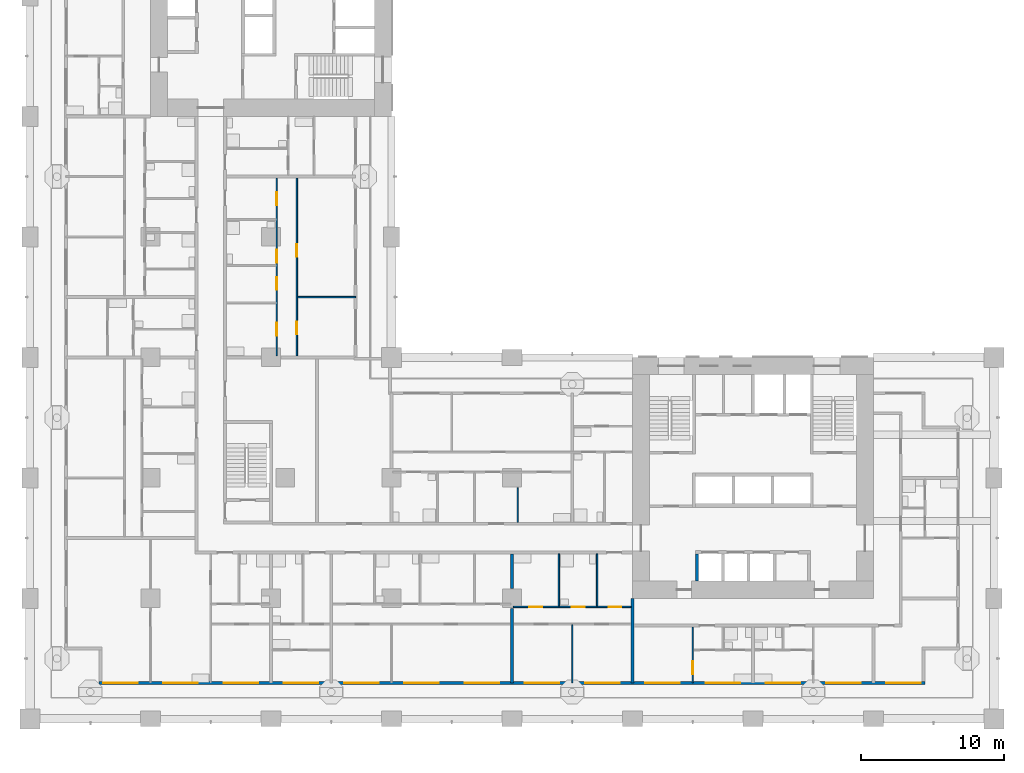
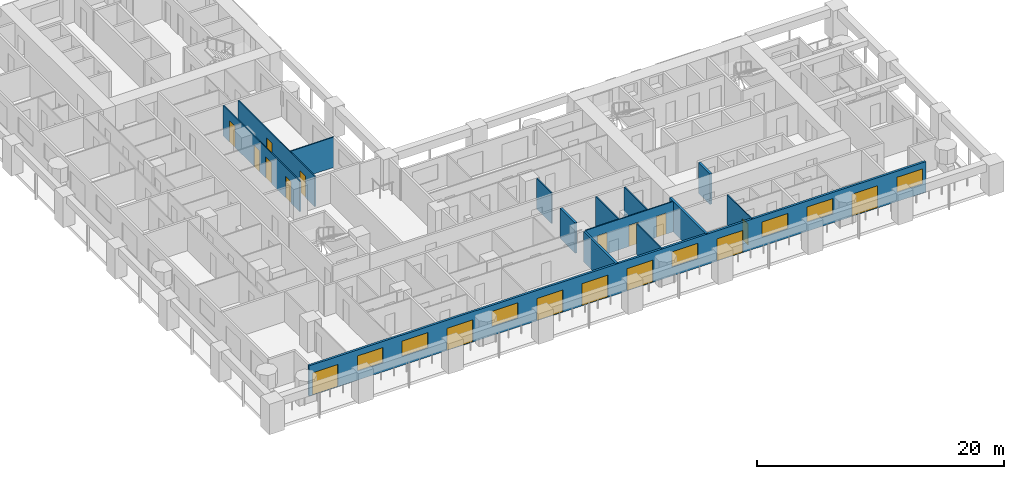
# One storey, part 5 of 21: 17 doors, 14 walls, 7 windows, 24 openings.
"""IFC4 building model written with IfcOpenShell, lengths in metres."""

from ifc_helpers import new_model, si_unit, direction, frame, frame_2d, origin, place, context, subcontext, project, spatial, rectangle, extrude, material, layer, layer_set, type_object, element, fill, save


model = new_model("IFC4")

# Units and contexts
model_context = context("Model", 3, precision=1e-05, world=origin(), true_north=direction((0.0, 1.0)))
body_context = subcontext(model_context, "Body", "Model", "MODEL_VIEW")
ifc_project = project(units=[si_unit("LENGTHUNIT", "METRE"), si_unit("AREAUNIT", "SQUARE_METRE"), si_unit("VOLUMEUNIT", "CUBIC_METRE"), si_unit("PLANEANGLEUNIT", "RADIAN"), si_unit("MASSUNIT", "GRAM", prefix="KILO")], contexts=[model_context])

# Site, building, storey
site_placement = place(None, origin())
site = spatial("IfcSite", under=ifc_project, at=site_placement, CompositionType="ELEMENT")
building_placement = place(site_placement, origin())
building = spatial("IfcBuilding", under=site, at=building_placement, Name="Vermilion Gate Residences", CompositionType="ELEMENT")
storey_placement = place(building_placement, frame((0.0, 0.0, 70.699951171875)))
storey = spatial("IfcBuildingStorey", under=building, at=storey_placement, Name="L17", CompositionType="ELEMENT", Elevation=70.699951171875)

# Wall, openings, doors, windows
ifc_material_1 = material(Name="Insulated steel stud wall with terracotta rainscreen", Category="masonry")
ifc_layer_1 = layer(ifc_material_1, 0.199951171875)
ifc_layer_set_1 = layer_set([ifc_layer_1], Name="EXTERNAL WALL 200 TERRACOTTA RAINSCREEN")
wall_type_1 = type_object("IfcWallType", Name="EXTERNAL WALL 200 TERRACOTTA RAINSCREEN", PredefinedType="SOLIDWALL", material=ifc_layer_set_1)
wall_1_placement = place(storey_placement, frame((4.800048828125, 2.5, 0.0), z_axis=(0.0, 0.0, 1.0), x_axis=(1.0, 0.0, 0.0)))
wall_1 = element("IfcWall", 1, at=wall_1_placement, inside=storey, type_object=wall_type_1, Name="External wall", PredefinedType="SOLIDWALL", context=body_context, shape_type="SweptSolid", body=[
    extrude(rectangle(XDim=57.599853515625, YDim=0.199951171875, at=frame_2d((28.7998046875, 0.0))), origin(), (0.0, 0.0, 1.0), 3.0),
])
opening_1_placement = place(wall_1_placement, frame((0.300048828125, 0.0, 0.0)))
opening_1 = element("IfcOpeningElement", 2, at=opening_1_placement, cuts=wall_1, Name="Opening DE17014", PredefinedType="OPENING", context=body_context, shape_type="SweptSolid", body=[
    extrude(rectangle(XDim=2.39990234375, YDim=2.199951171875, at=frame_2d((1.199951171875, 1.10009765625))), frame((0.0, 0.10986328125, 0.0), z_axis=(0.0, -1.0, 0.0), x_axis=(1.0, 0.0, 0.0)), (0.0, 0.0, 1.0), 0.219970703125),
])
opening_2_placement = place(wall_1_placement, frame((4.5, 0.0, 0.89990234375)))
opening_2 = element("IfcOpeningElement", 3, at=opening_2_placement, cuts=wall_1, Name="Opening WE17015", PredefinedType="OPENING", context=body_context, shape_type="SweptSolid", body=[
    extrude(rectangle(XDim=2.39990234375, YDim=1.5, at=frame_2d((1.199951171875, 0.75))), frame((0.0, 0.10986328125, 0.0), z_axis=(0.0, -1.0, 0.0), x_axis=(1.0, 0.0, 0.0)), (0.0, 0.0, 1.0), 0.219970703125),
])
opening_3_placement = place(wall_1_placement, frame((8.699951171875, 0.0, 0.89990234375)))
opening_3 = element("IfcOpeningElement", 4, at=opening_3_placement, cuts=wall_1, Name="Opening WE17016", PredefinedType="OPENING", context=body_context, shape_type="SweptSolid", body=[
    extrude(rectangle(XDim=2.39990234375, YDim=1.5, at=frame_2d((1.199951171875, 0.75))), frame((0.0, 0.10986328125, 0.0), z_axis=(0.0, -1.0, 0.0), x_axis=(1.0, 0.0, 0.0)), (0.0, 0.0, 1.0), 0.219970703125),
])
opening_4_placement = place(wall_1_placement, frame((12.89990234375, 0.0, 0.0)))
opening_4 = element("IfcOpeningElement", 5, at=opening_4_placement, cuts=wall_1, Name="Opening DE17017", PredefinedType="OPENING", context=body_context, shape_type="SweptSolid", body=[
    extrude(rectangle(XDim=2.39990234375, YDim=2.199951171875, at=frame_2d((1.199951171875, 1.10009765625))), frame((0.0, 0.10986328125, 0.0), z_axis=(0.0, -1.0, 0.0), x_axis=(1.0, 0.0, 0.0)), (0.0, 0.0, 1.0), 0.219970703125),
])
opening_5_placement = place(wall_1_placement, frame((17.10009765625, 0.0, 0.89990234375)))
opening_5 = element("IfcOpeningElement", 6, at=opening_5_placement, cuts=wall_1, Name="Opening WE17018", PredefinedType="OPENING", context=body_context, shape_type="SweptSolid", body=[
    extrude(rectangle(XDim=2.39990234375, YDim=1.5, at=frame_2d((1.199951171875, 0.75))), frame((0.0, 0.10986328125, 0.0), z_axis=(0.0, -1.0, 0.0), x_axis=(1.0, 0.0, 0.0)), (0.0, 0.0, 1.0), 0.219970703125),
])
opening_6_placement = place(wall_1_placement, frame((21.300048828125, 0.0, 0.0)))
opening_6 = element("IfcOpeningElement", 7, at=opening_6_placement, cuts=wall_1, Name="Opening DE17019", PredefinedType="OPENING", context=body_context, shape_type="SweptSolid", body=[
    extrude(rectangle(XDim=2.39990234375, YDim=2.199951171875, at=frame_2d((1.199951171875, 1.10009765625))), frame((0.0, 0.10986328125, 0.0), z_axis=(0.0, -1.0, 0.0), x_axis=(1.0, 0.0, 0.0)), (0.0, 0.0, 1.0), 0.219970703125),
])
opening_7_placement = place(wall_1_placement, frame((25.5, 0.0, 0.0)))
opening_7 = element("IfcOpeningElement", 8, at=opening_7_placement, cuts=wall_1, Name="Opening DE17020", PredefinedType="OPENING", context=body_context, shape_type="SweptSolid", body=[
    extrude(rectangle(XDim=2.39990234375, YDim=2.199951171875, at=frame_2d((1.199951171875, 1.10009765625))), frame((0.0, 0.10986328125, 0.0), z_axis=(0.0, -1.0, 0.0), x_axis=(1.0, 0.0, 0.0)), (0.0, 0.0, 1.0), 0.219970703125),
])
opening_8_placement = place(wall_1_placement, frame((29.699951171875, 0.0, 0.0)))
opening_8 = element("IfcOpeningElement", 9, at=opening_8_placement, cuts=wall_1, Name="Opening DE17021", PredefinedType="OPENING", context=body_context, shape_type="SweptSolid", body=[
    extrude(rectangle(XDim=2.39990234375, YDim=2.199951171875, at=frame_2d((1.199951171875, 1.10009765625))), frame((0.0, 0.10986328125, 0.0), z_axis=(0.0, -1.0, 0.0), x_axis=(1.0, 0.0, 0.0)), (0.0, 0.0, 1.0), 0.219970703125),
])
opening_9_placement = place(wall_1_placement, frame((33.89990234375, 0.0, 0.89990234375)))
opening_9 = element("IfcOpeningElement", 10, at=opening_9_placement, cuts=wall_1, Name="Opening WE17022", PredefinedType="OPENING", context=body_context, shape_type="SweptSolid", body=[
    extrude(rectangle(XDim=2.39990234375, YDim=1.5, at=frame_2d((1.199951171875, 0.75))), frame((0.0, 0.10986328125, 0.0), z_axis=(0.0, -1.0, 0.0), x_axis=(1.0, 0.0, 0.0)), (0.0, 0.0, 1.0), 0.219970703125),
])
opening_10_placement = place(wall_1_placement, frame((38.10009765625, 0.0, 0.0)))
opening_10 = element("IfcOpeningElement", 11, at=opening_10_placement, cuts=wall_1, Name="Opening DE17023", PredefinedType="OPENING", context=body_context, shape_type="SweptSolid", body=[
    extrude(rectangle(XDim=2.39990234375, YDim=2.199951171875, at=frame_2d((1.199951171875, 1.10009765625))), frame((0.0, 0.10986328125, 0.0), z_axis=(0.0, -1.0, 0.0), x_axis=(1.0, 0.0, 0.0)), (0.0, 0.0, 1.0), 0.219970703125),
])
opening_11_placement = place(wall_1_placement, frame((42.300048828125, 0.0, 0.89990234375)))
opening_11 = element("IfcOpeningElement", 12, at=opening_11_placement, cuts=wall_1, Name="Opening WE17024", PredefinedType="OPENING", context=body_context, shape_type="SweptSolid", body=[
    extrude(rectangle(XDim=2.39990234375, YDim=1.5, at=frame_2d((1.199951171875, 0.75))), frame((0.0, 0.10986328125, 0.0), z_axis=(0.0, -1.0, 0.0), x_axis=(1.0, 0.0, 0.0)), (0.0, 0.0, 1.0), 0.219970703125),
])
opening_12_placement = place(wall_1_placement, frame((46.5, 0.0, 0.89990234375)))
opening_12 = element("IfcOpeningElement", 13, at=opening_12_placement, cuts=wall_1, Name="Opening WE17025", PredefinedType="OPENING", context=body_context, shape_type="SweptSolid", body=[
    extrude(rectangle(XDim=2.39990234375, YDim=1.5, at=frame_2d((1.199951171875, 0.75))), frame((0.0, 0.10986328125, 0.0), z_axis=(0.0, -1.0, 0.0), x_axis=(1.0, 0.0, 0.0)), (0.0, 0.0, 1.0), 0.219970703125),
])
opening_13_placement = place(wall_1_placement, frame((50.699951171875, 0.0, 0.0)))
opening_13 = element("IfcOpeningElement", 14, at=opening_13_placement, cuts=wall_1, Name="Opening DE17026", PredefinedType="OPENING", context=body_context, shape_type="SweptSolid", body=[
    extrude(rectangle(XDim=2.39990234375, YDim=2.199951171875, at=frame_2d((1.199951171875, 1.10009765625))), frame((0.0, 0.10986328125, 0.0), z_axis=(0.0, -1.0, 0.0), x_axis=(1.0, 0.0, 0.0)), (0.0, 0.0, 1.0), 0.219970703125),
])
opening_14_placement = place(wall_1_placement, frame((54.89990234375, 0.0, 0.89990234375)))
opening_14 = element("IfcOpeningElement", 15, at=opening_14_placement, cuts=wall_1, Name="Opening WE17027", PredefinedType="OPENING", context=body_context, shape_type="SweptSolid", body=[
    extrude(rectangle(XDim=2.39990234375, YDim=1.5, at=frame_2d((1.199951171875, 0.75))), frame((0.0, 0.10986328125, 0.0), z_axis=(0.0, -1.0, 0.0), x_axis=(1.0, 0.0, 0.0)), (0.0, 0.0, 1.0), 0.219970703125),
])
ifc_material_2 = material(Name="Aluminium and clear glass", Category="aluminium")
door_type_1 = type_object("IfcDoorType", Name="SLIDING GLAZED DOOR 2400 X 2200", OperationType="DOUBLE_DOOR_SLIDING", PredefinedType="DOOR", material=ifc_material_2)
door_1_placement = place(opening_1_placement, origin())
door_1 = element("IfcDoor", 16, at=door_1_placement, inside=storey, type_object=door_type_1, Name="Loggia sliding door", OperationType="DOUBLE_DOOR_SLIDING", OverallHeight=2.199951171875, OverallWidth=2.39990234375, PredefinedType="DOOR", context=body_context, shape_type="SweptSolid", body=[
    extrude(rectangle(XDim=2.39990234375, YDim=2.199951171875, at=frame_2d((1.199951171875, 1.10009765625))), frame((0.0, 0.02490234375, 0.0), z_axis=(0.0, -1.0, 0.0), x_axis=(1.0, 0.0, 0.0)), (0.0, 0.0, 1.0), 0.050048828125),
])
fill(opening_1, door_1)
door_2_placement = place(opening_4_placement, origin())
door_2 = element("IfcDoor", 17, at=door_2_placement, inside=storey, type_object=door_type_1, Name="Loggia sliding door", OperationType="DOUBLE_DOOR_SLIDING", OverallHeight=2.199951171875, OverallWidth=2.39990234375, PredefinedType="DOOR", context=body_context, shape_type="SweptSolid", body=[
    extrude(rectangle(XDim=2.39990234375, YDim=2.199951171875, at=frame_2d((1.199951171875, 1.10009765625))), frame((0.0, 0.02490234375, 0.0), z_axis=(0.0, -1.0, 0.0), x_axis=(1.0, 0.0, 0.0)), (0.0, 0.0, 1.0), 0.050048828125),
])
fill(opening_4, door_2)
door_3_placement = place(opening_6_placement, origin())
door_3 = element("IfcDoor", 18, at=door_3_placement, inside=storey, type_object=door_type_1, Name="Loggia sliding door", OperationType="DOUBLE_DOOR_SLIDING", OverallHeight=2.199951171875, OverallWidth=2.39990234375, PredefinedType="DOOR", context=body_context, shape_type="SweptSolid", body=[
    extrude(rectangle(XDim=2.39990234375, YDim=2.199951171875, at=frame_2d((1.199951171875, 1.10009765625))), frame((0.0, 0.02490234375, 0.0), z_axis=(0.0, -1.0, 0.0), x_axis=(1.0, 0.0, 0.0)), (0.0, 0.0, 1.0), 0.050048828125),
])
fill(opening_6, door_3)
door_4_placement = place(opening_7_placement, origin())
door_4 = element("IfcDoor", 19, at=door_4_placement, inside=storey, type_object=door_type_1, Name="Loggia sliding door", OperationType="DOUBLE_DOOR_SLIDING", OverallHeight=2.199951171875, OverallWidth=2.39990234375, PredefinedType="DOOR", context=body_context, shape_type="SweptSolid", body=[
    extrude(rectangle(XDim=2.39990234375, YDim=2.199951171875, at=frame_2d((1.199951171875, 1.10009765625))), frame((0.0, 0.02490234375, 0.0), z_axis=(0.0, -1.0, 0.0), x_axis=(1.0, 0.0, 0.0)), (0.0, 0.0, 1.0), 0.050048828125),
])
fill(opening_7, door_4)
door_5_placement = place(opening_8_placement, origin())
door_5 = element("IfcDoor", 20, at=door_5_placement, inside=storey, type_object=door_type_1, Name="Loggia sliding door", OperationType="DOUBLE_DOOR_SLIDING", OverallHeight=2.199951171875, OverallWidth=2.39990234375, PredefinedType="DOOR", context=body_context, shape_type="SweptSolid", body=[
    extrude(rectangle(XDim=2.39990234375, YDim=2.199951171875, at=frame_2d((1.199951171875, 1.10009765625))), frame((0.0, 0.02490234375, 0.0), z_axis=(0.0, -1.0, 0.0), x_axis=(1.0, 0.0, 0.0)), (0.0, 0.0, 1.0), 0.050048828125),
])
fill(opening_8, door_5)
door_6_placement = place(opening_10_placement, origin())
door_6 = element("IfcDoor", 21, at=door_6_placement, inside=storey, type_object=door_type_1, Name="Loggia sliding door", OperationType="DOUBLE_DOOR_SLIDING", OverallHeight=2.199951171875, OverallWidth=2.39990234375, PredefinedType="DOOR", context=body_context, shape_type="SweptSolid", body=[
    extrude(rectangle(XDim=2.39990234375, YDim=2.199951171875, at=frame_2d((1.199951171875, 1.10009765625))), frame((0.0, 0.02490234375, 0.0), z_axis=(0.0, -1.0, 0.0), x_axis=(1.0, 0.0, 0.0)), (0.0, 0.0, 1.0), 0.050048828125),
])
fill(opening_10, door_6)
door_7_placement = place(opening_13_placement, origin())
door_7 = element("IfcDoor", 22, at=door_7_placement, inside=storey, type_object=door_type_1, Name="Loggia sliding door", OperationType="DOUBLE_DOOR_SLIDING", OverallHeight=2.199951171875, OverallWidth=2.39990234375, PredefinedType="DOOR", context=body_context, shape_type="SweptSolid", body=[
    extrude(rectangle(XDim=2.39990234375, YDim=2.199951171875, at=frame_2d((1.199951171875, 1.10009765625))), frame((0.0, 0.02490234375, 0.0), z_axis=(0.0, -1.0, 0.0), x_axis=(1.0, 0.0, 0.0)), (0.0, 0.0, 1.0), 0.050048828125),
])
fill(opening_13, door_7)
ifc_material_3 = material(Name="Aluminium and clear glass", Category="aluminium")
window_type = type_object("IfcWindowType", Name="WINDOW 2400 X 1500", PartitioningType="SINGLE_PANEL", PredefinedType="WINDOW", material=ifc_material_3)
window_1_placement = place(opening_2_placement, origin())
window_1 = element("IfcWindow", 23, at=window_1_placement, inside=storey, type_object=window_type, Name="Window", OverallHeight=1.5, OverallWidth=2.39990234375, PartitioningType="SINGLE_PANEL", PredefinedType="WINDOW", context=body_context, shape_type="SweptSolid", body=[
    extrude(rectangle(XDim=2.39990234375, YDim=1.5, at=frame_2d((1.199951171875, 0.75))), frame((0.0, 0.030029296875, 0.0), z_axis=(0.0, -1.0, 0.0), x_axis=(1.0, 0.0, 0.0)), (0.0, 0.0, 1.0), 0.06005859375),
])
fill(opening_2, window_1)
window_2_placement = place(opening_3_placement, origin())
window_2 = element("IfcWindow", 24, at=window_2_placement, inside=storey, type_object=window_type, Name="Window", OverallHeight=1.5, OverallWidth=2.39990234375, PartitioningType="SINGLE_PANEL", PredefinedType="WINDOW", context=body_context, shape_type="SweptSolid", body=[
    extrude(rectangle(XDim=2.39990234375, YDim=1.5, at=frame_2d((1.199951171875, 0.75))), frame((0.0, 0.030029296875, 0.0), z_axis=(0.0, -1.0, 0.0), x_axis=(1.0, 0.0, 0.0)), (0.0, 0.0, 1.0), 0.06005859375),
])
fill(opening_3, window_2)
window_3_placement = place(opening_5_placement, origin())
window_3 = element("IfcWindow", 25, at=window_3_placement, inside=storey, type_object=window_type, Name="Window", OverallHeight=1.5, OverallWidth=2.39990234375, PartitioningType="SINGLE_PANEL", PredefinedType="WINDOW", context=body_context, shape_type="SweptSolid", body=[
    extrude(rectangle(XDim=2.39990234375, YDim=1.5, at=frame_2d((1.199951171875, 0.75))), frame((0.0, 0.030029296875, 0.0), z_axis=(0.0, -1.0, 0.0), x_axis=(1.0, 0.0, 0.0)), (0.0, 0.0, 1.0), 0.06005859375),
])
fill(opening_5, window_3)
window_4_placement = place(opening_9_placement, origin())
window_4 = element("IfcWindow", 26, at=window_4_placement, inside=storey, type_object=window_type, Name="Window", OverallHeight=1.5, OverallWidth=2.39990234375, PartitioningType="SINGLE_PANEL", PredefinedType="WINDOW", context=body_context, shape_type="SweptSolid", body=[
    extrude(rectangle(XDim=2.39990234375, YDim=1.5, at=frame_2d((1.199951171875, 0.75))), frame((0.0, 0.030029296875, 0.0), z_axis=(0.0, -1.0, 0.0), x_axis=(1.0, 0.0, 0.0)), (0.0, 0.0, 1.0), 0.06005859375),
])
fill(opening_9, window_4)
window_5_placement = place(opening_11_placement, origin())
window_5 = element("IfcWindow", 27, at=window_5_placement, inside=storey, type_object=window_type, Name="Window", OverallHeight=1.5, OverallWidth=2.39990234375, PartitioningType="SINGLE_PANEL", PredefinedType="WINDOW", context=body_context, shape_type="SweptSolid", body=[
    extrude(rectangle(XDim=2.39990234375, YDim=1.5, at=frame_2d((1.199951171875, 0.75))), frame((0.0, 0.030029296875, 0.0), z_axis=(0.0, -1.0, 0.0), x_axis=(1.0, 0.0, 0.0)), (0.0, 0.0, 1.0), 0.06005859375),
])
fill(opening_11, window_5)
window_6_placement = place(opening_12_placement, origin())
window_6 = element("IfcWindow", 28, at=window_6_placement, inside=storey, type_object=window_type, Name="Window", OverallHeight=1.5, OverallWidth=2.39990234375, PartitioningType="SINGLE_PANEL", PredefinedType="WINDOW", context=body_context, shape_type="SweptSolid", body=[
    extrude(rectangle(XDim=2.39990234375, YDim=1.5, at=frame_2d((1.199951171875, 0.75))), frame((0.0, 0.030029296875, 0.0), z_axis=(0.0, -1.0, 0.0), x_axis=(1.0, 0.0, 0.0)), (0.0, 0.0, 1.0), 0.06005859375),
])
fill(opening_12, window_6)
window_7_placement = place(opening_14_placement, origin())
window_7 = element("IfcWindow", 29, at=window_7_placement, inside=storey, type_object=window_type, Name="Window", OverallHeight=1.5, OverallWidth=2.39990234375, PartitioningType="SINGLE_PANEL", PredefinedType="WINDOW", context=body_context, shape_type="SweptSolid", body=[
    extrude(rectangle(XDim=2.39990234375, YDim=1.5, at=frame_2d((1.199951171875, 0.75))), frame((0.0, 0.030029296875, 0.0), z_axis=(0.0, -1.0, 0.0), x_axis=(1.0, 0.0, 0.0)), (0.0, 0.0, 1.0), 0.06005859375),
])
fill(opening_14, window_7)

# Wall, openings, doors
ifc_material_4 = material(Name="Plasterboard on steel studs", Category="steel")
ifc_layer_2 = layer(ifc_material_4, 0.10009765625)
ifc_layer_set_2 = layer_set([ifc_layer_2], Name="PARTITION 100")
wall_type_2 = type_object("IfcWallType", Name="PARTITION 100", PredefinedType="PARTITIONING", material=ifc_layer_set_2)
wall_2_placement = place(storey_placement, frame((33.699951171875, 7.800048828125, 0.0), z_axis=(0.0, 0.0, 1.0), x_axis=(1.0, 0.0, 0.0)))
wall_2 = element("IfcWall", 30, at=wall_2_placement, inside=storey, type_object=wall_type_2, Name="Partition", PredefinedType="PARTITIONING", context=body_context, shape_type="SweptSolid", body=[
    extrude(rectangle(XDim=8.199951171875, YDim=0.10009765625, at=frame_2d((4.10009765625, 0.0))), origin(), (0.0, 0.0, 1.0), 3.0),
])
opening_15_placement = place(wall_2_placement, frame((6.633056640625, 0.0, 0.0)))
opening_15 = element("IfcOpeningElement", 31, at=opening_15_placement, cuts=wall_2, Name="Opening DA16016", PredefinedType="OPENING", context=body_context, shape_type="SweptSolid", body=[
    extrude(rectangle(XDim=0.89990234375, YDim=2.10009765625, at=frame_2d((0.449951171875, 1.050048828125))), frame((0.0, 0.06005859375, 0.0), z_axis=(0.0, -1.0, 0.0), x_axis=(1.0, 0.0, 0.0)), (0.0, 0.0, 1.0), 0.1201171875),
])
opening_16_placement = place(wall_2_placement, frame((1.10009765625, 0.0, 0.0)))
opening_16 = element("IfcOpeningElement", 32, at=opening_16_placement, cuts=wall_2, Name="Opening DA16017", PredefinedType="OPENING", context=body_context, shape_type="SweptSolid", body=[
    extrude(rectangle(XDim=0.89990234375, YDim=2.10009765625, at=frame_2d((0.449951171875, 1.050048828125))), frame((0.0, 0.06005859375, 0.0), z_axis=(0.0, -1.0, 0.0), x_axis=(1.0, 0.0, 0.0)), (0.0, 0.0, 1.0), 0.1201171875),
])
opening_17_placement = place(wall_2_placement, frame((4.06689453125, 0.0, 0.0)))
opening_17 = element("IfcOpeningElement", 33, at=opening_17_placement, cuts=wall_2, Name="Opening DA16018", PredefinedType="OPENING", context=body_context, shape_type="SweptSolid", body=[
    extrude(rectangle(XDim=0.89990234375, YDim=2.10009765625, at=frame_2d((0.449951171875, 1.050048828125))), frame((0.0, 0.06005859375, 0.0), z_axis=(0.0, -1.0, 0.0), x_axis=(1.0, 0.0, 0.0)), (0.0, 0.0, 1.0), 0.1201171875),
])
ifc_material_5 = material(Name="Timber", Category="wood")
door_type_2 = type_object("IfcDoorType", Name="INTERIOR DOOR 900 X 2100", OperationType="SINGLE_SWING_LEFT", PredefinedType="DOOR", material=ifc_material_5)
door_8_placement = place(opening_15_placement, frame((0.89990234375, 0.0, 0.0), z_axis=(0.0, 0.0, 1.0), x_axis=(-1.0, 0.0, 0.0)))
door_8 = element("IfcDoor", 34, at=door_8_placement, inside=storey, type_object=door_type_2, Name="Interior door", OperationType="SINGLE_SWING_LEFT", OverallHeight=2.10009765625, OverallWidth=0.89990234375, PredefinedType="DOOR", context=body_context, shape_type="SweptSolid", body=[
    extrude(rectangle(XDim=0.89990234375, YDim=2.10009765625, at=frame_2d((0.449951171875, 1.050048828125))), frame((0.0, 0.02490234375, 0.0), z_axis=(0.0, -1.0, 0.0), x_axis=(1.0, 0.0, 0.0)), (0.0, 0.0, 1.0), 0.050048828125),
])
fill(opening_15, door_8)
door_9_placement = place(opening_16_placement, origin())
door_9 = element("IfcDoor", 35, at=door_9_placement, inside=storey, type_object=door_type_2, Name="Interior door", OperationType="SINGLE_SWING_LEFT", OverallHeight=2.10009765625, OverallWidth=0.89990234375, PredefinedType="DOOR", context=body_context, shape_type="SweptSolid", body=[
    extrude(rectangle(XDim=0.89990234375, YDim=2.10009765625, at=frame_2d((0.449951171875, 1.050048828125))), frame((0.0, 0.02490234375, 0.0), z_axis=(0.0, -1.0, 0.0), x_axis=(1.0, 0.0, 0.0)), (0.0, 0.0, 1.0), 0.050048828125),
])
fill(opening_16, door_9)
door_10_placement = place(opening_17_placement, origin())
door_10 = element("IfcDoor", 36, at=door_10_placement, inside=storey, type_object=door_type_2, Name="Interior door", OperationType="SINGLE_SWING_LEFT", OverallHeight=2.10009765625, OverallWidth=0.89990234375, PredefinedType="DOOR", context=body_context, shape_type="SweptSolid", body=[
    extrude(rectangle(XDim=0.89990234375, YDim=2.10009765625, at=frame_2d((0.449951171875, 1.050048828125))), frame((0.0, 0.02490234375, 0.0), z_axis=(0.0, -1.0, 0.0), x_axis=(1.0, 0.0, 0.0)), (0.0, 0.0, 1.0), 0.050048828125),
])
fill(opening_17, door_10)

# Wall
wall_3_placement = place(storey_placement, frame((18.64990234375, 29.39990234375, 0.0), z_axis=(0.0, 0.0, 1.0), x_axis=(1.0, 0.0, 0.0)))
element("IfcWall", 37, at=wall_3_placement, inside=storey, type_object=wall_type_2, Name="Partition", PredefinedType="PARTITIONING", context=body_context, shape_type="SweptSolid", body=[
    extrude(rectangle(XDim=4.050048828125, YDim=0.10009765625, at=frame_2d((2.02490234375, 0.0))), origin(), (0.0, 0.0, 1.0), 3.0),
])

# Wall, openings, doors
wall_4_placement = place(storey_placement, frame((17.199951171875, 25.300048828125, 0.0), z_axis=(0.0, 0.0, 1.0), x_axis=(0.0, 1.0, 0.0)))
wall_4 = element("IfcWall", 38, at=wall_4_placement, inside=storey, type_object=wall_type_2, Name="Partition", PredefinedType="PARTITIONING", context=body_context, shape_type="SweptSolid", body=[
    extrude(rectangle(XDim=12.39990234375, YDim=0.10009765625, at=frame_2d((6.199951171875, 0.0))), origin(), (0.0, 0.0, 1.0), 3.0),
])
opening_18_placement = place(wall_4_placement, frame((10.5, 0.0, 0.0)))
opening_18 = element("IfcOpeningElement", 39, at=opening_18_placement, cuts=wall_4, Name="Opening DA16072", PredefinedType="OPENING", context=body_context, shape_type="SweptSolid", body=[
    extrude(rectangle(XDim=0.89990234375, YDim=2.10009765625, at=frame_2d((0.449951171875, 1.050048828125))), frame((0.0, 0.06005859375, 0.0), z_axis=(0.0, -1.0, 0.0), x_axis=(1.0, 0.0, 0.0)), (0.0, 0.0, 1.0), 0.1201171875),
])
opening_19_placement = place(wall_4_placement, frame((1.39990234375, 0.0, 0.0)))
opening_19 = element("IfcOpeningElement", 40, at=opening_19_placement, cuts=wall_4, Name="Opening DA16073", PredefinedType="OPENING", context=body_context, shape_type="SweptSolid", body=[
    extrude(rectangle(XDim=0.89990234375, YDim=2.10009765625, at=frame_2d((0.449951171875, 1.050048828125))), frame((0.0, 0.06005859375, 0.0), z_axis=(0.0, -1.0, 0.0), x_axis=(1.0, 0.0, 0.0)), (0.0, 0.0, 1.0), 0.1201171875),
])
opening_20_placement = place(wall_4_placement, frame((4.60009765625, 0.0, 0.0)))
opening_20 = element("IfcOpeningElement", 41, at=opening_20_placement, cuts=wall_4, Name="Opening DA16074", PredefinedType="OPENING", context=body_context, shape_type="SweptSolid", body=[
    extrude(rectangle(XDim=0.89990234375, YDim=2.10009765625, at=frame_2d((0.449951171875, 1.050048828125))), frame((0.0, 0.06005859375, 0.0), z_axis=(0.0, -1.0, 0.0), x_axis=(1.0, 0.0, 0.0)), (0.0, 0.0, 1.0), 0.1201171875),
])
opening_21_placement = place(wall_4_placement, frame((6.5, 0.0, 0.0)))
opening_21 = element("IfcOpeningElement", 42, at=opening_21_placement, cuts=wall_4, Name="Opening DA16075", PredefinedType="OPENING", context=body_context, shape_type="SweptSolid", body=[
    extrude(rectangle(XDim=0.89990234375, YDim=2.10009765625, at=frame_2d((0.449951171875, 1.050048828125))), frame((0.0, 0.06005859375, 0.0), z_axis=(0.0, -1.0, 0.0), x_axis=(1.0, 0.0, 0.0)), (0.0, 0.0, 1.0), 0.1201171875),
])
door_11_placement = place(opening_18_placement, origin())
door_11 = element("IfcDoor", 43, at=door_11_placement, inside=storey, type_object=door_type_2, Name="Interior door", OperationType="SINGLE_SWING_LEFT", OverallHeight=2.10009765625, OverallWidth=0.89990234375, PredefinedType="DOOR", context=body_context, shape_type="SweptSolid", body=[
    extrude(rectangle(XDim=0.89990234375, YDim=2.10009765625, at=frame_2d((0.449951171875, 1.050048828125))), frame((0.0, 0.02490234375, 0.0), z_axis=(0.0, -1.0, 0.0), x_axis=(1.0, 0.0, 0.0)), (0.0, 0.0, 1.0), 0.050048828125),
])
fill(opening_18, door_11)
door_12_placement = place(opening_19_placement, origin())
door_12 = element("IfcDoor", 44, at=door_12_placement, inside=storey, type_object=door_type_2, Name="Interior door", OperationType="SINGLE_SWING_LEFT", OverallHeight=2.10009765625, OverallWidth=0.89990234375, PredefinedType="DOOR", context=body_context, shape_type="SweptSolid", body=[
    extrude(rectangle(XDim=0.89990234375, YDim=2.10009765625, at=frame_2d((0.449951171875, 1.050048828125))), frame((0.0, 0.02490234375, 0.0), z_axis=(0.0, -1.0, 0.0), x_axis=(1.0, 0.0, 0.0)), (0.0, 0.0, 1.0), 0.050048828125),
])
fill(opening_19, door_12)
door_13_placement = place(opening_20_placement, origin())
door_13 = element("IfcDoor", 45, at=door_13_placement, inside=storey, type_object=door_type_2, Name="Interior door", OperationType="SINGLE_SWING_RIGHT", OverallHeight=2.10009765625, OverallWidth=0.89990234375, PredefinedType="DOOR", context=body_context, shape_type="SweptSolid", body=[
    extrude(rectangle(XDim=0.89990234375, YDim=2.10009765625, at=frame_2d((0.449951171875, 1.050048828125))), frame((0.0, 0.02490234375, 0.0), z_axis=(0.0, -1.0, 0.0), x_axis=(1.0, 0.0, 0.0)), (0.0, 0.0, 1.0), 0.050048828125),
])
fill(opening_20, door_13)
door_14_placement = place(opening_21_placement, origin())
door_14 = element("IfcDoor", 46, at=door_14_placement, inside=storey, type_object=door_type_2, Name="Interior door", OperationType="SINGLE_SWING_LEFT", OverallHeight=2.10009765625, OverallWidth=0.89990234375, PredefinedType="DOOR", context=body_context, shape_type="SweptSolid", body=[
    extrude(rectangle(XDim=0.89990234375, YDim=2.10009765625, at=frame_2d((0.449951171875, 1.050048828125))), frame((0.0, 0.02490234375, 0.0), z_axis=(0.0, -1.0, 0.0), x_axis=(1.0, 0.0, 0.0)), (0.0, 0.0, 1.0), 0.050048828125),
])
fill(opening_21, door_14)

wall_5_placement = place(storey_placement, frame((18.60009765625, 25.300048828125, 0.0), z_axis=(0.0, 0.0, 1.0), x_axis=(0.0, 1.0, 0.0)))
wall_5 = element("IfcWall", 47, at=wall_5_placement, inside=storey, type_object=wall_type_2, Name="Partition", PredefinedType="PARTITIONING", context=body_context, shape_type="SweptSolid", body=[
    extrude(rectangle(XDim=12.39990234375, YDim=0.10009765625, at=frame_2d((6.199951171875, 0.0))), origin(), (0.0, 0.0, 1.0), 3.0),
])
opening_22_placement = place(wall_5_placement, frame((1.5, 0.0, 0.0)))
opening_22 = element("IfcOpeningElement", 48, at=opening_22_placement, cuts=wall_5, Name="Opening DA16078", PredefinedType="OPENING", context=body_context, shape_type="SweptSolid", body=[
    extrude(rectangle(XDim=0.89990234375, YDim=2.10009765625, at=frame_2d((0.449951171875, 1.050048828125))), frame((0.0, 0.06005859375, 0.0), z_axis=(0.0, -1.0, 0.0), x_axis=(1.0, 0.0, 0.0)), (0.0, 0.0, 1.0), 0.1201171875),
])
opening_23_placement = place(wall_5_placement, frame((6.89990234375, 0.0, 0.0)))
opening_23 = element("IfcOpeningElement", 49, at=opening_23_placement, cuts=wall_5, Name="Opening DA16079", PredefinedType="OPENING", context=body_context, shape_type="SweptSolid", body=[
    extrude(rectangle(XDim=0.89990234375, YDim=2.10009765625, at=frame_2d((0.449951171875, 1.050048828125))), frame((0.0, 0.06005859375, 0.0), z_axis=(0.0, -1.0, 0.0), x_axis=(1.0, 0.0, 0.0)), (0.0, 0.0, 1.0), 0.1201171875),
])
door_15_placement = place(opening_22_placement, frame((0.89990234375, 0.0, 0.0), z_axis=(0.0, 0.0, 1.0), x_axis=(-1.0, 0.0, 0.0)))
door_15 = element("IfcDoor", 50, at=door_15_placement, inside=storey, type_object=door_type_2, Name="Interior door", OperationType="SINGLE_SWING_RIGHT", OverallHeight=2.10009765625, OverallWidth=0.89990234375, PredefinedType="DOOR", context=body_context, shape_type="SweptSolid", body=[
    extrude(rectangle(XDim=0.89990234375, YDim=2.10009765625, at=frame_2d((0.449951171875, 1.050048828125))), frame((0.0, 0.02490234375, 0.0), z_axis=(0.0, -1.0, 0.0), x_axis=(1.0, 0.0, 0.0)), (0.0, 0.0, 1.0), 0.050048828125),
])
fill(opening_22, door_15)
door_16_placement = place(opening_23_placement, frame((0.89990234375, 0.0, 0.0), z_axis=(0.0, 0.0, 1.0), x_axis=(-1.0, 0.0, 0.0)))
door_16 = element("IfcDoor", 51, at=door_16_placement, inside=storey, type_object=door_type_2, Name="Interior door", OperationType="SINGLE_SWING_RIGHT", OverallHeight=2.10009765625, OverallWidth=0.89990234375, PredefinedType="DOOR", context=body_context, shape_type="SweptSolid", body=[
    extrude(rectangle(XDim=0.89990234375, YDim=2.10009765625, at=frame_2d((0.449951171875, 1.050048828125))), frame((0.0, 0.02490234375, 0.0), z_axis=(0.0, -1.0, 0.0), x_axis=(1.0, 0.0, 0.0)), (0.0, 0.0, 1.0), 0.050048828125),
])
fill(opening_23, door_16)

# Walls
wall_6_placement = place(storey_placement, frame((34.0, 13.699951171875, 0.0), z_axis=(0.0, 0.0, 1.0), x_axis=(0.0, 1.0, 0.0)))
element("IfcWall", 52, at=wall_6_placement, inside=storey, type_object=wall_type_2, Name="Partition", PredefinedType="PARTITIONING", context=body_context, shape_type="SweptSolid", body=[
    extrude(rectangle(XDim=2.400146484375, YDim=0.10009765625, at=frame_2d((1.2001953125, 0.0))), origin(), (0.0, 0.0, 1.0), 3.0),
])
wall_7_placement = place(storey_placement, frame((36.866943359375, 7.85009765625, 0.0), z_axis=(0.0, 0.0, 1.0), x_axis=(0.0, 1.0, 0.0)))
element("IfcWall", 53, at=wall_7_placement, inside=storey, type_object=wall_type_2, Name="Partition", PredefinedType="PARTITIONING", context=body_context, shape_type="SweptSolid", body=[
    extrude(rectangle(XDim=3.64990234375, YDim=0.10009765625, at=frame_2d((1.824951171875, 0.0))), origin(), (0.0, 0.0, 1.0), 3.0),
])
wall_8_placement = place(storey_placement, frame((37.800048828125, 2.5, 0.0), z_axis=(0.0, 0.0, 1.0), x_axis=(0.0, 1.0, 0.0)))
element("IfcWall", 54, at=wall_8_placement, inside=storey, type_object=wall_type_2, Name="Partition", PredefinedType="PARTITIONING", context=body_context, shape_type="SweptSolid", body=[
    extrude(rectangle(XDim=4.050048828125, YDim=0.10009765625, at=frame_2d((2.02490234375, 0.0))), origin(), (0.0, 0.0, 1.0), 3.0),
])
wall_9_placement = place(storey_placement, frame((39.532958984375, 7.85009765625, 0.0), z_axis=(0.0, 0.0, 1.0), x_axis=(0.0, 1.0, 0.0)))
element("IfcWall", 55, at=wall_9_placement, inside=storey, type_object=wall_type_2, Name="Partition", PredefinedType="PARTITIONING", context=body_context, shape_type="SweptSolid", body=[
    extrude(rectangle(XDim=3.64990234375, YDim=0.10009765625, at=frame_2d((1.824951171875, 0.0))), origin(), (0.0, 0.0, 1.0), 3.0),
])

# Wall, opening, door
wall_10_placement = place(storey_placement, frame((46.199951171875, 2.5, 0.0), z_axis=(0.0, 0.0, 1.0), x_axis=(0.0, 1.0, 0.0)))
wall_10 = element("IfcWall", 56, at=wall_10_placement, inside=storey, type_object=wall_type_2, Name="Partition", PredefinedType="PARTITIONING", context=body_context, shape_type="SweptSolid", body=[
    extrude(rectangle(XDim=3.89990234375, YDim=0.10009765625, at=frame_2d((1.949951171875, 0.0))), origin(), (0.0, 0.0, 1.0), 3.0),
])
opening_24_placement = place(wall_10_placement, frame((0.60009765625, 0.0, 0.0)))
opening_24 = element("IfcOpeningElement", 57, at=opening_24_placement, cuts=wall_10, Name="Opening DA16081", PredefinedType="OPENING", context=body_context, shape_type="SweptSolid", body=[
    extrude(rectangle(XDim=0.89990234375, YDim=2.10009765625, at=frame_2d((0.449951171875, 1.050048828125))), frame((0.0, 0.06005859375, 0.0), z_axis=(0.0, -1.0, 0.0), x_axis=(1.0, 0.0, 0.0)), (0.0, 0.0, 1.0), 0.1201171875),
])
door_17_placement = place(opening_24_placement, frame((0.89990234375, 0.0, 0.0), z_axis=(0.0, 0.0, 1.0), x_axis=(-1.0, 0.0, 0.0)))
door_17 = element("IfcDoor", 58, at=door_17_placement, inside=storey, type_object=door_type_2, Name="Interior door", OperationType="SINGLE_SWING_RIGHT", OverallHeight=2.10009765625, OverallWidth=0.89990234375, PredefinedType="DOOR", context=body_context, shape_type="SweptSolid", body=[
    extrude(rectangle(XDim=0.89990234375, YDim=2.10009765625, at=frame_2d((0.449951171875, 1.050048828125))), frame((0.0, 0.02490234375, 0.0), z_axis=(0.0, -1.0, 0.0), x_axis=(1.0, 0.0, 0.0)), (0.0, 0.0, 1.0), 0.050048828125),
])
fill(opening_24, door_17)

# Walls
ifc_material_6 = material(Name="Fire-rated plasterboard on steel studs", Category="steel")
ifc_layer_3 = layer(ifc_material_6, 0.199951171875)
ifc_layer_set_3 = layer_set([ifc_layer_3], Name="PARTY WALL 200 EI 120")
wall_type_3 = type_object("IfcWallType", Name="PARTY WALL 200 EI 120", PredefinedType="PARTITIONING", material=ifc_layer_set_3)
wall_11_placement = place(storey_placement, frame((33.60009765625, 2.5, 0.0), z_axis=(0.0, 0.0, 1.0), x_axis=(0.0, 1.0, 0.0)))
element("IfcWall", 59, at=wall_11_placement, inside=storey, type_object=wall_type_3, Name="Party and corridor wall", PredefinedType="PARTITIONING", context=body_context, shape_type="SweptSolid", body=[
    extrude(rectangle(XDim=5.199951171875, YDim=0.199951171875, at=frame_2d((2.60009765625, 0.0))), origin(), (0.0, 0.0, 1.0), 3.0),
])
wall_12_placement = place(storey_placement, frame((33.60009765625, 9.10009765625, 0.0), z_axis=(0.0, 0.0, 1.0), x_axis=(0.0, 1.0, 0.0)))
element("IfcWall", 60, at=wall_12_placement, inside=storey, type_object=wall_type_3, Name="Party and corridor wall", PredefinedType="PARTITIONING", context=body_context, shape_type="SweptSolid", body=[
    extrude(rectangle(XDim=2.39990234375, YDim=0.199951171875, at=frame_2d((1.199951171875, 0.0))), origin(), (0.0, 0.0, 1.0), 3.0),
])
wall_13_placement = place(storey_placement, frame((42.0, 2.5, 0.0), z_axis=(0.0, 0.0, 1.0), x_axis=(0.0, 1.0, 0.0)))
element("IfcWall", 61, at=wall_13_placement, inside=storey, type_object=wall_type_3, Name="Party and corridor wall", PredefinedType="PARTITIONING", context=body_context, shape_type="SweptSolid", body=[
    extrude(rectangle(XDim=5.89990234375, YDim=0.199951171875, at=frame_2d((2.949951171875, 0.0))), origin(), (0.0, 0.0, 1.0), 3.0),
])
ifc_material_7 = material(Name="Concrete C60", Category="concrete")
ifc_layer_4 = layer(ifc_material_7, 0.199951171875)
ifc_layer_set_4 = layer_set([ifc_layer_4], Name="RC CORE INTERNAL WALL 200 C60")
wall_type_4 = type_object("IfcWallType", Name="RC CORE INTERNAL WALL 200 C60", PredefinedType="SHEAR", material=ifc_layer_set_4)
wall_14_placement = place(storey_placement, frame((46.5, 9.60009765625, 0.0), z_axis=(0.0, 0.0, 1.0), x_axis=(0.0, 1.0, 0.0)))
element("IfcWall", 62, at=wall_14_placement, inside=storey, type_object=wall_type_4, Name="Core internal wall A17-LR-D0", PredefinedType="SHEAR", context=body_context, shape_type="SweptSolid", body=[
    extrude(rectangle(XDim=1.89990234375, YDim=0.199951171875, at=frame_2d((0.949951171875, 0.0))), origin(), (0.0, 0.0, 1.0), 3.0),
])

save(model, "model.ifc")
